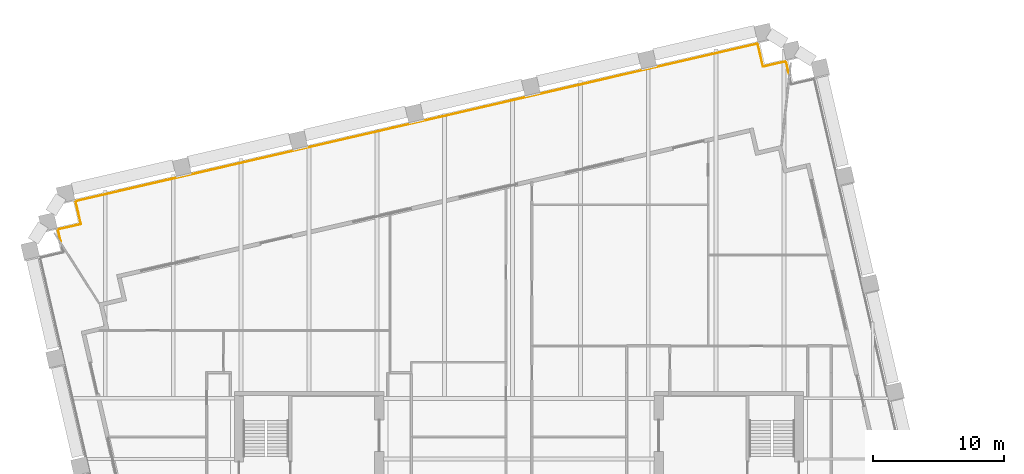
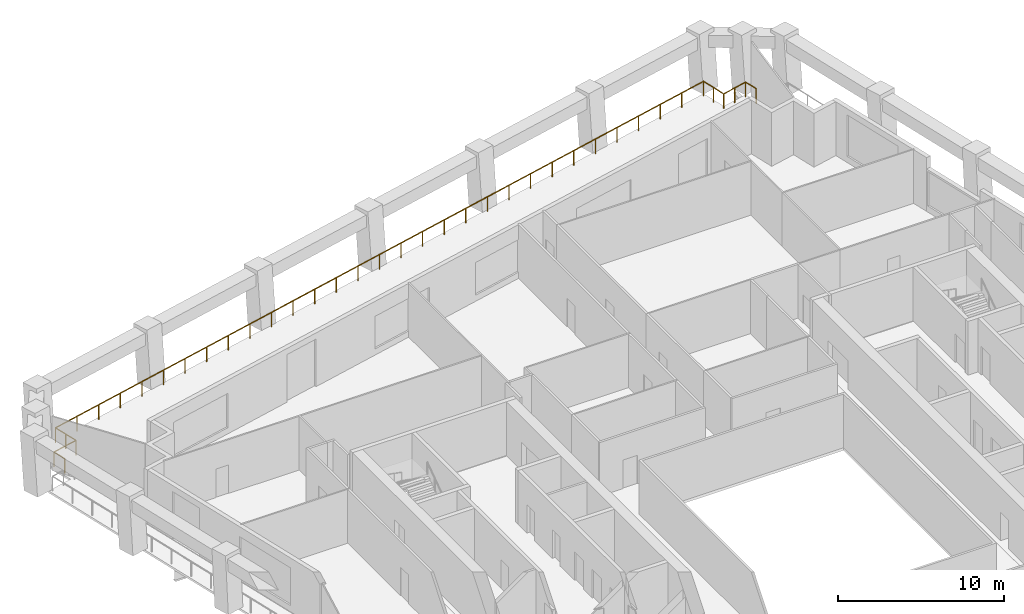
# One storey, part 11 of 11: 1 railing.
"""IFC4 building model written with IfcOpenShell, lengths in metres."""

import ifcopenshell
import ifcopenshell.guid

model = None  # the IFC model being written
_history = None  # IfcOwnerHistory: only IFC2X3 demands one
_inside = {}  # id of a spatial element -> (the spatial element, [elements in it])
_under = {}  # id of a project, library or spatial element -> (it, [spatial elements below it])
_declared = {}  # id of a project -> (the project, [libraries it declares])
_typed = {}  # id of a type object -> (the type object, [elements of that type])
_made_of = {}  # id of a material, layer set ... -> (it, [elements and type objects made of it])


def new_model(schema):
    """Start an empty IFC model of exactly this schema.

    Asked for "IFC4X3", IfcOpenShell would pick the latest addendum, in which some entities
    have other attributes; the version numbers below select the first issue.
    IFC2X3 requires an IfcOwnerHistory on every rooted entity: one is made here for all.
    """
    global model, _history
    if schema == "IFC4X3":
        model = ifcopenshell.file(schema_version=(4, 3, 0, 0))
    else:
        model = ifcopenshell.file(schema=schema)
    _inside.clear()
    _under.clear()
    _declared.clear()
    _typed.clear()
    _made_of.clear()
    _history = None
    if model.schema == "IFC2X3":
        org = make("IfcOrganization", Name="unknown")
        user = make(
            "IfcPersonAndOrganization",
            ThePerson=make("IfcPerson", FamilyName="unknown"),
            TheOrganization=org,
        )
        app = make(
            "IfcApplication",
            ApplicationDeveloper=org,
            Version="unknown",
            ApplicationFullName="unknown",
            ApplicationIdentifier="unknown",
        )
        _history = make(
            "IfcOwnerHistory",
            OwningUser=user,
            OwningApplication=app,
            ChangeAction="ADDED",
            CreationDate=0,
        )
    return model


def make(cls, **values):
    """One entity of the class cls with the attributes given. An attribute that is None is left unset."""
    return model.create_entity(
        cls, **{name: value for name, value in values.items() if value is not None}
    )


def rooted(cls, **values):
    """An entity with a GlobalId (a new one), such as an element, a storey or a relation."""
    return make(cls, GlobalId=ifcopenshell.guid.new(), OwnerHistory=_history, **values)


def si_unit(unit_type, name, prefix=None):
    """IfcSIUnit, for example si_unit("LENGTHUNIT", "METRE", prefix="MILLI")."""
    return make("IfcSIUnit", UnitType=unit_type, Prefix=prefix, Name=name)


def assignment(units):
    """IfcUnitAssignment: the units of a project."""
    return None if units is None else make("IfcUnitAssignment", Units=units)


def point(xyz):
    """IfcCartesianPoint."""
    return None if xyz is None else make("IfcCartesianPoint", Coordinates=xyz)


def direction(xyz):
    """IfcDirection."""
    return None if xyz is None else make("IfcDirection", DirectionRatios=xyz)


def frame(location, z_axis=None, x_axis=None):
    """IfcAxis2Placement3D, a coordinate frame: its origin and axes. An axis left out is left unset."""
    return make(
        "IfcAxis2Placement3D",
        Location=point(location),
        Axis=direction(z_axis),
        RefDirection=direction(x_axis),
    )


def frame_2d(location, x_axis=None):
    """IfcAxis2Placement2D, a coordinate frame in the plane: its origin and x axis."""
    return make(
        "IfcAxis2Placement2D", Location=point(location), RefDirection=direction(x_axis)
    )


def origin():
    """The frame at (0, 0, 0) with its axes left unset."""
    return frame((0.0, 0.0, 0.0))


def origin_2d():
    """The frame at (0, 0) in the plane with its x axis left unset."""
    return frame_2d((0.0, 0.0))


def place(relative_to, where):
    """IfcLocalPlacement: puts the frame where relative to a parent placement (None: the world)."""
    return make(
        "IfcLocalPlacement", PlacementRelTo=relative_to, RelativePlacement=where
    )


def context(
    kind, dimensions, precision=None, world=None, true_north=None, identifier=None
):
    """IfcGeometricRepresentationContext, for example the 3D "Model" context."""
    return make(
        "IfcGeometricRepresentationContext",
        ContextIdentifier=identifier,
        ContextType=kind,
        CoordinateSpaceDimension=dimensions,
        Precision=precision,
        WorldCoordinateSystem=world,
        TrueNorth=true_north,
    )


def subcontext(parent, identifier, kind, view, scale=None):
    """IfcGeometricRepresentationSubContext, for example "Body" below "Model"."""
    return make(
        "IfcGeometricRepresentationSubContext",
        ContextIdentifier=identifier,
        ContextType=kind,
        ParentContext=parent,
        TargetScale=scale,
        TargetView=view,
    )


def project(units=None, contexts=None):
    """IfcProject with its units and contexts."""
    return rooted(
        "IfcProject",
        Name="project",
        RepresentationContexts=contexts,
        UnitsInContext=assignment(units),
    )


def spatial(cls, under=None, at=None, **own):
    """A site, building, storey or space (cls), placed at a placement, below another one or the project."""
    s = rooted(cls, ObjectPlacement=at, **own)
    if under is not None:
        _under.setdefault(under.id(), (under, []))[1].append(s)
    return s


def profile(cls, at=None, kind="AREA", **sizes):
    """A parametric profile (cls). Its sizes go by their IFC names, for example OverallWidth=200.0."""
    return make(cls, ProfileType=kind, Position=at, **sizes)


def circle(**sizes):
    """IfcCircleProfileDef."""
    return profile("IfcCircleProfileDef", **sizes)


def extrude(swept, where, along, depth):
    """IfcExtrudedAreaSolid: the profile swept, set in the frame where, extruded along a direction by depth."""
    return make(
        "IfcExtrudedAreaSolid",
        SweptArea=swept,
        Position=where,
        ExtrudedDirection=direction(along),
        Depth=depth,
    )


def shape(context_of_items, identifier, shape_type, items):
    """IfcShapeRepresentation: the items that make up one representation, for example the "Body"."""
    return make(
        "IfcShapeRepresentation",
        ContextOfItems=context_of_items,
        RepresentationIdentifier=identifier,
        RepresentationType=shape_type,
        Items=items,
    )


def material(Name=None, Category=None):
    """IfcMaterial."""
    return make("IfcMaterial", Name=Name, Category=Category)


def made_of(thing, what):
    """Note that an element or type object is made of a material, layer set ...; save() writes the relation."""
    if what is not None:
        _made_of.setdefault(what.id(), (what, []))[1].append(thing)
    return thing


def type_object(cls, material=None, **own):
    """A type object (cls), such as IfcWallType, which elements share."""
    return made_of(rooted(cls, **own), material)


def element(
    cls,
    number,
    at=None,
    inside=None,
    cuts=None,
    type_object=None,
    material=None,
    context=None,
    identifier="Body",
    shape_type=None,
    held_by="IfcProductDefinitionShape",
    body=None,
    shapes=None,
    **own,
):
    """One element of the class cls, such as IfcWall. Its Tag is "e" and its number.

    at: its placement. inside: the storey or other place that contains it. cuts: it is an
    opening in that element (IfcRelVoidsElement). A single representation is given by context,
    identifier, shape_type and body (its items); several are given by shapes. held_by: the class
    of the entity that holds the representations. save() writes the other relations.
    """
    e = rooted(cls, Tag="e%d" % number, ObjectPlacement=at, **own)
    if body is not None:
        shapes = [shape(context, identifier, shape_type, body)]
    if shapes is not None:
        e.Representation = make(held_by, Representations=shapes)
    if inside is not None:
        _inside.setdefault(inside.id(), (inside, []))[1].append(e)
    if cuts is not None:
        rooted(
            "IfcRelVoidsElement", RelatingBuildingElement=cuts, RelatedOpeningElement=e
        )
    if type_object is not None:
        _typed.setdefault(type_object.id(), (type_object, []))[1].append(e)
    return made_of(e, material)


def aggregate(whole, parts):
    """IfcRelAggregates: a whole, such as a stair, and the parts it consists of."""
    return rooted("IfcRelAggregates", RelatingObject=whole, RelatedObjects=parts)


def save(model, path):
    """Write the relations noted so far, then the file.

    IfcRelAggregates (storeys below a building ...), IfcRelContainedInSpatialStructure (elements
    in a storey), IfcRelDefinesByType, IfcRelAssociatesMaterial and IfcRelDeclares: one each for
    every whole, place, type object, material and project.
    """
    for whole, parts in _under.values():
        aggregate(whole, parts)
    for where, things in _inside.values():
        rooted(
            "IfcRelContainedInSpatialStructure",
            RelatedElements=things,
            RelatingStructure=where,
        )
    for kind, things in _typed.values():
        rooted("IfcRelDefinesByType", RelatedObjects=things, RelatingType=kind)
    for what, things in _made_of.values():
        rooted("IfcRelAssociatesMaterial", RelatedObjects=things, RelatingMaterial=what)
    for by, libraries in _declared.values():
        rooted("IfcRelDeclares", RelatingContext=by, RelatedDefinitions=libraries)
    model.write(path)


model = new_model("IFC4")

# Units and contexts
model_context = context("Model", 3, precision=1e-05, world=origin(), true_north=direction((0.0, 1.0)))
body_context = subcontext(model_context, "Body", "Model", "MODEL_VIEW")
ifc_project = project(units=[si_unit("LENGTHUNIT", "METRE"), si_unit("AREAUNIT", "SQUARE_METRE"), si_unit("VOLUMEUNIT", "CUBIC_METRE"), si_unit("PLANEANGLEUNIT", "RADIAN"), si_unit("MASSUNIT", "GRAM", prefix="KILO")], contexts=[model_context])

# Site, building, storey
site_placement = place(None, origin())
site = spatial("IfcSite", under=ifc_project, at=site_placement, CompositionType="ELEMENT")
building_placement = place(site_placement, origin())
building = spatial("IfcBuilding", under=site, at=building_placement, Name="Ogive Exchange Tower", CompositionType="ELEMENT")
storey_placement = place(building_placement, frame((0.0, 0.0, 217.800048828125)))
storey = spatial("IfcBuildingStorey", under=building, at=storey_placement, Name="L48", CompositionType="ELEMENT", Elevation=217.800048828125)

# Railing
ifc_material = material(Name="Stainless steel 316", Category="steel")
railing_type = type_object("IfcRailingType", Name="Guard 1100 stainless steel and glass", PredefinedType="GUARDRAIL", material=ifc_material)
railing_placement = place(storey_placement, frame((-34.932373046875, 37.203369140625, -0.050048828125)))
element("IfcRailing", 1, at=railing_placement, inside=storey, type_object=railing_type, Name="Loggia guard 3", PredefinedType="GUARDRAIL", context=body_context, shape_type="SweptSolid", body=[
    extrude(circle(Radius=0.02392578125, at=origin_2d()), frame((0.0, 0.0, 1.076171875), z_axis=(-0.224802498814, 0.974404349604, 0.0), x_axis=(-0.974404349604, -0.224802498814, 0.0)), (0.0, 0.0, 1.0), 0.938232421875),
    extrude(circle(Radius=0.02392578125, at=origin_2d()), frame((-0.2109375, 0.914306640625, 1.076171875), z_axis=(0.974379763188, 0.224909041816, 0.0), x_axis=(-0.224909041816, 0.974379763188, 0.0)), (0.0, 0.0, 1.0), 1.7998046875),
    extrude(circle(Radius=0.02392578125, at=origin_2d()), frame((1.542724609375, 1.319091796875, 1.076171875), z_axis=(-0.224879318197, 0.974386623598, 0.0), x_axis=(-0.974386623598, -0.224879318197, 0.0)), (0.0, 0.0, 1.0), 1.800048828125),
    extrude(circle(Radius=0.02392578125, at=origin_2d()), frame((1.137939453125, 3.072998046875, 1.076171875), z_axis=(0.97436998541, 0.224951398156, 0.0), x_axis=(-0.224951398156, 0.97436998541, 0.0)), (0.0, 0.0, 1.0), 53.360107421875),
    extrude(circle(Radius=0.02392578125, at=origin_2d()), frame((53.13037109375, 15.076416015625, 1.076171875), z_axis=(0.224879318197, -0.974386623598, 0.0), x_axis=(0.974386623598, 0.224879318197, 0.0)), (0.0, 0.0, 1.0), 1.800048828125),
    extrude(circle(Radius=0.02392578125, at=origin_2d()), frame((53.53515625, 13.322509765625, 1.076171875), z_axis=(0.974356896201, 0.225008086135, 0.0), x_axis=(-0.225008086135, 0.974356896201, 0.0)), (0.0, 0.0, 1.0), 1.800048828125),
    extrude(circle(Radius=0.02392578125, at=origin_2d()), frame((55.2890625, 13.7275390625, 1.076171875), z_axis=(0.225049516303, -0.974347327811, 0.0), x_axis=(0.974347327811, 0.225049516303, 0.0)), (0.0, 0.0, 1.0), 0.9384765625),
    extrude(circle(Radius=0.02099609375, at=origin_2d()), origin(), (0.0, 0.0, 1.0), 1.052001953125),
    extrude(circle(Radius=0.02099609375, at=origin_2d()), frame((-0.2109375, 0.914306640625, 0.0)), (0.0, 0.0, 1.0), 1.052001953125),
    extrude(circle(Radius=0.02099609375, at=origin_2d()), frame((1.542724609375, 1.319091796875, 0.0)), (0.0, 0.0, 1.0), 1.052001953125),
    extrude(circle(Radius=0.02099609375, at=origin_2d()), frame((1.34033203125, 2.196044921875, 0.0)), (0.0, 0.0, 1.0), 1.052001953125),
    extrude(circle(Radius=0.02099609375, at=origin_2d()), frame((1.137939453125, 3.072998046875, 0.0)), (0.0, 0.0, 1.0), 1.052001953125),
    extrude(circle(Radius=0.02099609375, at=origin_2d()), frame((2.87109375, 3.47314453125, 0.0)), (0.0, 0.0, 1.0), 1.052001953125),
    extrude(circle(Radius=0.02099609375, at=origin_2d()), frame((4.60400390625, 3.873291015625, 0.0)), (0.0, 0.0, 1.0), 1.052001953125),
    extrude(circle(Radius=0.02099609375, at=origin_2d()), frame((6.337158203125, 4.2734375, 0.0)), (0.0, 0.0, 1.0), 1.052001953125),
    extrude(circle(Radius=0.02099609375, at=origin_2d()), frame((8.0703125, 4.67333984375, 0.0)), (0.0, 0.0, 1.0), 1.052001953125),
    extrude(circle(Radius=0.02099609375, at=origin_2d()), frame((9.80322265625, 5.073486328125, 0.0)), (0.0, 0.0, 1.0), 1.052001953125),
    extrude(circle(Radius=0.02099609375, at=origin_2d()), frame((11.536376953125, 5.4736328125, 0.0)), (0.0, 0.0, 1.0), 1.052001953125),
    extrude(circle(Radius=0.02099609375, at=origin_2d()), frame((13.26953125, 5.873779296875, 0.0)), (0.0, 0.0, 1.0), 1.052001953125),
    extrude(circle(Radius=0.02099609375, at=origin_2d()), frame((15.002685546875, 6.27392578125, 0.0)), (0.0, 0.0, 1.0), 1.052001953125),
    extrude(circle(Radius=0.02099609375, at=origin_2d()), frame((16.735595703125, 6.674072265625, 0.0)), (0.0, 0.0, 1.0), 1.052001953125),
    extrude(circle(Radius=0.02099609375, at=origin_2d()), frame((18.46875, 7.07421875, 0.0)), (0.0, 0.0, 1.0), 1.052001953125),
    extrude(circle(Radius=0.02099609375, at=origin_2d()), frame((20.201904296875, 7.474365234375, 0.0)), (0.0, 0.0, 1.0), 1.052001953125),
    extrude(circle(Radius=0.02099609375, at=origin_2d()), frame((21.934814453125, 7.874267578125, 0.0)), (0.0, 0.0, 1.0), 1.052001953125),
    extrude(circle(Radius=0.02099609375, at=origin_2d()), frame((23.66796875, 8.2744140625, 0.0)), (0.0, 0.0, 1.0), 1.052001953125),
    extrude(circle(Radius=0.02099609375, at=origin_2d()), frame((25.401123046875, 8.674560546875, 0.0)), (0.0, 0.0, 1.0), 1.052001953125),
    extrude(circle(Radius=0.02099609375, at=origin_2d()), frame((27.13427734375, 9.07470703125, 0.0)), (0.0, 0.0, 1.0), 1.052001953125),
    extrude(circle(Radius=0.02099609375, at=origin_2d()), frame((28.8671875, 9.474853515625, 0.0)), (0.0, 0.0, 1.0), 1.052001953125),
    extrude(circle(Radius=0.02099609375, at=origin_2d()), frame((30.600341796875, 9.875, 0.0)), (0.0, 0.0, 1.0), 1.052001953125),
    extrude(circle(Radius=0.02099609375, at=origin_2d()), frame((32.33349609375, 10.275146484375, 0.0)), (0.0, 0.0, 1.0), 1.052001953125),
    extrude(circle(Radius=0.02099609375, at=origin_2d()), frame((34.06640625, 10.675048828125, 0.0)), (0.0, 0.0, 1.0), 1.052001953125),
    extrude(circle(Radius=0.02099609375, at=origin_2d()), frame((35.799560546875, 11.0751953125, 0.0)), (0.0, 0.0, 1.0), 1.052001953125),
    extrude(circle(Radius=0.02099609375, at=origin_2d()), frame((37.53271484375, 11.475341796875, 0.0)), (0.0, 0.0, 1.0), 1.052001953125),
    extrude(circle(Radius=0.02099609375, at=origin_2d()), frame((39.265625, 11.87548828125, 0.0)), (0.0, 0.0, 1.0), 1.052001953125),
    extrude(circle(Radius=0.02099609375, at=origin_2d()), frame((40.998779296875, 12.275634765625, 0.0)), (0.0, 0.0, 1.0), 1.052001953125),
    extrude(circle(Radius=0.02099609375, at=origin_2d()), frame((42.73193359375, 12.67578125, 0.0)), (0.0, 0.0, 1.0), 1.052001953125),
    extrude(circle(Radius=0.02099609375, at=origin_2d()), frame((44.46484375, 13.075927734375, 0.0)), (0.0, 0.0, 1.0), 1.052001953125),
    extrude(circle(Radius=0.02099609375, at=origin_2d()), frame((46.197998046875, 13.47607421875, 0.0)), (0.0, 0.0, 1.0), 1.052001953125),
    extrude(circle(Radius=0.02099609375, at=origin_2d()), frame((47.93115234375, 13.8759765625, 0.0)), (0.0, 0.0, 1.0), 1.052001953125),
    extrude(circle(Radius=0.02099609375, at=origin_2d()), frame((49.664306640625, 14.276123046875, 0.0)), (0.0, 0.0, 1.0), 1.052001953125),
    extrude(circle(Radius=0.02099609375, at=origin_2d()), frame((51.397216796875, 14.67626953125, 0.0)), (0.0, 0.0, 1.0), 1.052001953125),
    extrude(circle(Radius=0.02099609375, at=origin_2d()), frame((53.13037109375, 15.076416015625, 0.0)), (0.0, 0.0, 1.0), 1.052001953125),
    extrude(circle(Radius=0.02099609375, at=origin_2d()), frame((53.332763671875, 14.199462890625, 0.0)), (0.0, 0.0, 1.0), 1.052001953125),
    extrude(circle(Radius=0.02099609375, at=origin_2d()), frame((53.53515625, 13.322509765625, 0.0)), (0.0, 0.0, 1.0), 1.052001953125),
    extrude(circle(Radius=0.02099609375, at=origin_2d()), frame((54.412109375, 13.52490234375, 0.0)), (0.0, 0.0, 1.0), 1.052001953125),
    extrude(circle(Radius=0.02099609375, at=origin_2d()), frame((55.2890625, 13.7275390625, 0.0)), (0.0, 0.0, 1.0), 1.052001953125),
    extrude(circle(Radius=0.02099609375, at=origin_2d()), frame((55.500244140625, 12.813232421875, 0.0)), (0.0, 0.0, 1.0), 1.052001953125),
])

save(model, "model.ifc")
